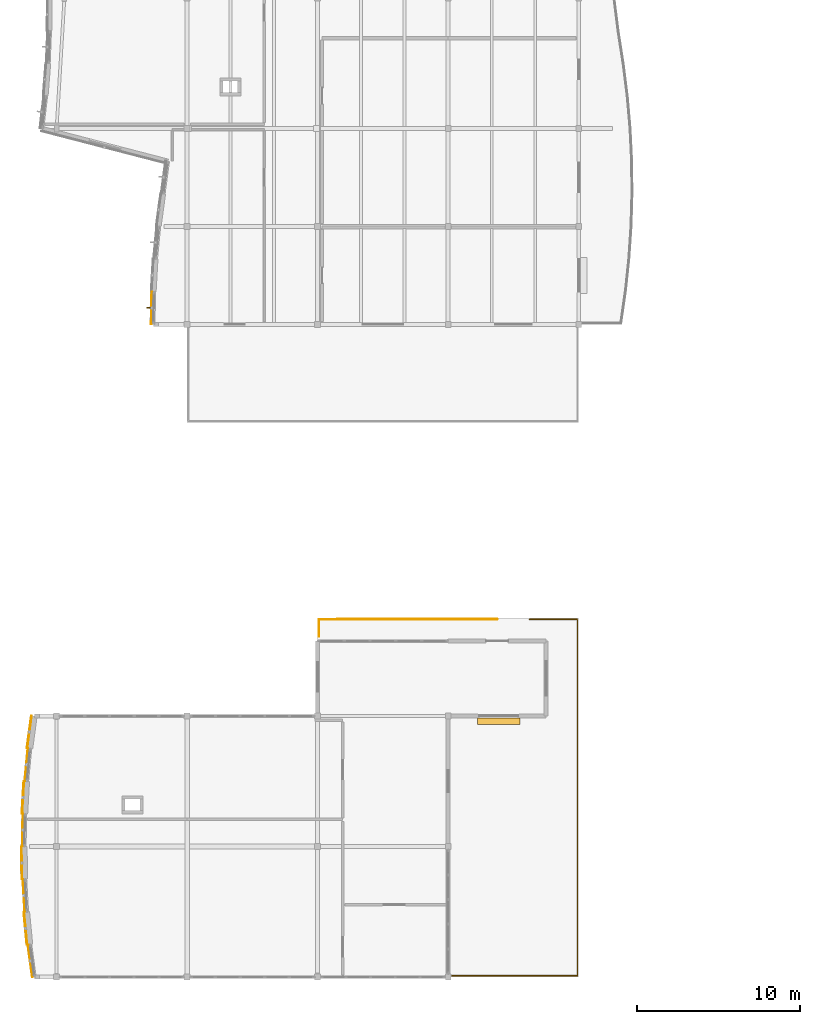
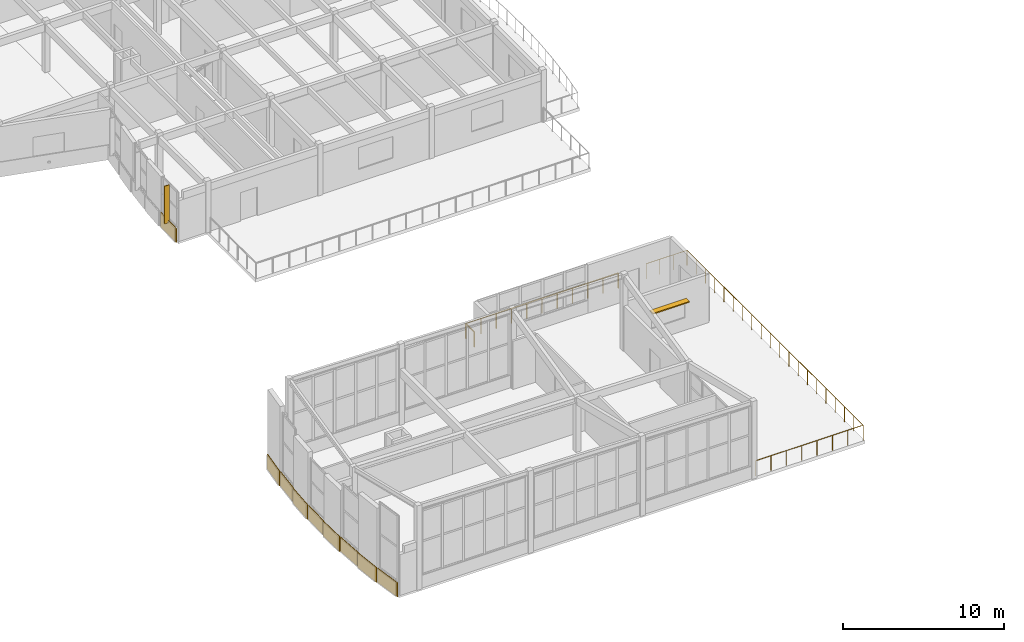
# One storey, part 53 of 63: 9 coverings, 2 railings, 2 shading devices.
"""IFC4 building model written with IfcOpenShell, lengths in metres."""

from ifc_helpers import new_model, si_unit, direction, frame, origin, origin_2d, place, context, subcontext, project, spatial, polyline, rectangle, circle, outline, extrude, material, layer, layer_set, type_object, element, save


model = new_model("IFC4")

# Units and contexts
model_context = context("Model", 3, precision=1e-05, world=origin(), true_north=direction((0.0, 1.0)))
body_context = subcontext(model_context, "Body", "Model", "MODEL_VIEW")
ifc_project = project(units=[si_unit("LENGTHUNIT", "METRE"), si_unit("AREAUNIT", "SQUARE_METRE"), si_unit("VOLUMEUNIT", "CUBIC_METRE"), si_unit("PLANEANGLEUNIT", "RADIAN"), si_unit("MASSUNIT", "GRAM", prefix="KILO")], contexts=[model_context])

# Site, building, storey
site_placement = place(None, origin())
site = spatial("IfcSite", under=ifc_project, at=site_placement, CompositionType="ELEMENT")
building_placement = place(site_placement, origin())
building = spatial("IfcBuilding", under=site, at=building_placement, Name="Tonlespit Floodbar School", CompositionType="ELEMENT")
storey_placement = place(building_placement, frame((0.0, 0.0, 8.39990234375)))
storey = spatial("IfcBuildingStorey", under=building, at=storey_placement, Name="L02", CompositionType="ELEMENT", Elevation=8.39990234375)

# Railing
ifc_material_1 = material(Name="Galvanised Steel", Category="steel")
railing_type_1 = type_object("IfcRailingType", Name="Balustrade_Ext_1150", PredefinedType="BALUSTRADE", material=ifc_material_1)
railing_1_placement = place(storey_placement, frame((20.080078125, 24.868408203125, 0.0)))
element("IfcRailing", 1, at=railing_1_placement, inside=storey, type_object=railing_type_1, Name="L02 terrace balustrade 019", PredefinedType="BALUSTRADE", context=body_context, shape_type="SweptSolid", body=[
    extrude(circle(Radius=0.02392578125, at=origin_2d()), frame((0.0, 0.0, 1.1259765625), z_axis=(0.0, 1.0, 0.0), x_axis=(-1.0, 0.0, 0.0)), (0.0, 0.0, 1.0), 1.051025390625),
    extrude(circle(Radius=0.02392578125, at=origin_2d()), frame((0.0, 1.051025390625, 1.1259765625), z_axis=(0.999999999, 4.471472e-05, 0.0), x_axis=(-4.471472e-05, 0.999999999, 0.0)), (0.0, 0.0, 1.0), 10.919921875),
    extrude(circle(Radius=0.02099609375, at=origin_2d()), origin(), (0.0, 0.0, 1.0), 1.101806640625),
    extrude(circle(Radius=0.02099609375, at=origin_2d()), frame((0.0, 1.051025390625, 0.0)), (0.0, 0.0, 1.0), 1.101806640625),
    extrude(circle(Radius=0.02099609375, at=origin_2d()), frame((1.092041015625, 1.051025390625, 0.0)), (0.0, 0.0, 1.0), 1.101806640625),
    extrude(circle(Radius=0.02099609375, at=origin_2d()), frame((2.18408203125, 1.051025390625, 0.0)), (0.0, 0.0, 1.0), 1.101806640625),
    extrude(circle(Radius=0.02099609375, at=origin_2d()), frame((3.27587890625, 1.05126953125, 0.0)), (0.0, 0.0, 1.0), 1.101806640625),
    extrude(circle(Radius=0.02099609375, at=origin_2d()), frame((4.367919921875, 1.05126953125, 0.0)), (0.0, 0.0, 1.0), 1.101806640625),
    extrude(circle(Radius=0.02099609375, at=origin_2d()), frame((5.4599609375, 1.05126953125, 0.0)), (0.0, 0.0, 1.0), 1.101806640625),
    extrude(circle(Radius=0.02099609375, at=origin_2d()), frame((6.552001953125, 1.05126953125, 0.0)), (0.0, 0.0, 1.0), 1.101806640625),
    extrude(circle(Radius=0.02099609375, at=origin_2d()), frame((7.64404296875, 1.05126953125, 0.0)), (0.0, 0.0, 1.0), 1.101806640625),
    extrude(circle(Radius=0.02099609375, at=origin_2d()), frame((8.73583984375, 1.051513671875, 0.0)), (0.0, 0.0, 1.0), 1.101806640625),
    extrude(circle(Radius=0.02099609375, at=origin_2d()), frame((9.827880859375, 1.051513671875, 0.0)), (0.0, 0.0, 1.0), 1.101806640625),
    extrude(circle(Radius=0.02099609375, at=origin_2d()), frame((10.919921875, 1.051513671875, 0.0)), (0.0, 0.0, 1.0), 1.101806640625),
])

# Coverings
ifc_material_2 = material(Name="White Architectural Aluminium", Category="aluminium")
ifc_layer_1 = layer(ifc_material_2, 0.050048828125)
ifc_layer_set_1 = layer_set([ifc_layer_1], Name="White Architectural Aluminium")
covering_type = type_object("IfcCoveringType", Name="Cladding_WhiteBand_50", PredefinedType="CLADDING", material=ifc_layer_set_1)
covering_1_placement = place(storey_placement, frame((0.0, 0.0, -0.119873046875)))
element("IfcCovering", 2, at=covering_1_placement, inside=storey, type_object=covering_type, Name="L02 curved white spandrel cladding 0543", PredefinedType="CLADDING", context=body_context, shape_type="SweptSolid", body=[
    extrude(outline(polyline([(9.830810546875, 44.001953125), (9.869384765625, 46.001953125), (9.8193359375, 46.0029296875), (9.781005859375, 44.0029296875), (9.830810546875, 44.001953125)])), origin(), (0.0, 0.0, 1.0), 1.070068359375),
])
covering_2_placement = place(storey_placement, frame((0.0, 0.0, -0.119873046875)))
element("IfcCovering", 3, at=covering_2_placement, inside=storey, type_object=covering_type, Name="L02 curved white spandrel cladding 0774", PredefinedType="CLADDING", context=body_context, shape_type="SweptSolid", body=[
    extrude(outline(polyline([(2.55078125, 3.986572265625), (2.279052734375, 5.986572265625), (2.2294921875, 5.979736328125), (2.50146484375, 3.979736328125), (2.55078125, 3.986572265625)])), origin(), (0.0, 0.0, 1.0), 1.070068359375),
])
covering_3_placement = place(storey_placement, frame((0.0, 0.0, -0.119873046875)))
element("IfcCovering", 4, at=covering_3_placement, inside=storey, type_object=covering_type, Name="L02 curved white spandrel cladding 0775", PredefinedType="CLADDING", context=body_context, shape_type="SweptSolid", body=[
    extrude(outline(polyline([(2.218994140625, 5.984619140625), (2.025634765625, 7.984619140625), (1.975830078125, 7.979736328125), (2.169189453125, 5.979736328125), (2.218994140625, 5.984619140625)])), origin(), (0.0, 0.0, 1.0), 1.119873046875),
])
covering_4_placement = place(storey_placement, frame((0.0, 0.0, -0.119873046875)))
element("IfcCovering", 5, at=covering_4_placement, inside=storey, type_object=covering_type, Name="L02 curved white spandrel cladding 0776", PredefinedType="CLADDING", context=body_context, shape_type="SweptSolid", body=[
    extrude(outline(polyline([(2.085205078125, 7.994140625), (1.969482421875, 9.994140625), (1.919677734375, 9.9912109375), (2.035400390625, 7.9912109375), (2.085205078125, 7.994140625)])), origin(), (0.0, 0.0, 1.0), 1.070068359375),
])
covering_5_placement = place(storey_placement, frame((0.0, 0.0, -0.119873046875)))
element("IfcCovering", 6, at=covering_5_placement, inside=storey, type_object=covering_type, Name="L02 curved white spandrel cladding 0777", PredefinedType="CLADDING", context=body_context, shape_type="SweptSolid", body=[
    extrude(outline(polyline([(1.909423828125, 9.996826171875), (1.870849609375, 11.996826171875), (1.82080078125, 11.995849609375), (1.859375, 9.995849609375), (1.909423828125, 9.996826171875)])), origin(), (0.0, 0.0, 1.0), 1.119873046875),
])
covering_6_placement = place(storey_placement, frame((0.0, 0.0, -0.119873046875)))
element("IfcCovering", 7, at=covering_6_placement, inside=storey, type_object=covering_type, Name="L02 curved white spandrel cladding 0778", PredefinedType="CLADDING", context=body_context, shape_type="SweptSolid", body=[
    extrude(outline(polyline([(1.930908203125, 12.001953125), (1.969482421875, 14.001953125), (1.91943359375, 14.0029296875), (1.880859375, 12.0029296875), (1.930908203125, 12.001953125)])), origin(), (0.0, 0.0, 1.0), 1.070068359375),
])
covering_7_placement = place(storey_placement, frame((0.0, 0.0, -0.119873046875)))
element("IfcCovering", 8, at=covering_7_placement, inside=storey, type_object=covering_type, Name="L02 curved white spandrel cladding 0779", PredefinedType="CLADDING", context=body_context, shape_type="SweptSolid", body=[
    extrude(outline(polyline([(1.90966796875, 14.00927734375), (2.025390625, 16.00927734375), (1.975341796875, 16.01220703125), (1.85986328125, 14.01220703125), (1.90966796875, 14.00927734375)])), origin(), (0.0, 0.0, 1.0), 1.119873046875),
])
covering_8_placement = place(storey_placement, frame((0.0, 0.0, -0.119873046875)))
element("IfcCovering", 9, at=covering_8_placement, inside=storey, type_object=covering_type, Name="L02 curved white spandrel cladding 0780", PredefinedType="CLADDING", context=body_context, shape_type="SweptSolid", body=[
    extrude(outline(polyline([(2.08544921875, 16.009521484375), (2.27880859375, 18.009521484375), (2.22900390625, 18.014404296875), (2.03564453125, 16.014404296875), (2.08544921875, 16.009521484375)])), origin(), (0.0, 0.0, 1.0), 1.070068359375),
])
covering_9_placement = place(storey_placement, frame((0.0, 0.0, -0.119873046875)))
element("IfcCovering", 10, at=covering_9_placement, inside=storey, type_object=covering_type, Name="L02 curved white spandrel cladding 0781", PredefinedType="CLADDING", context=body_context, shape_type="SweptSolid", body=[
    extrude(outline(polyline([(2.2197265625, 18.021484375), (2.491455078125, 20.021484375), (2.44189453125, 20.0283203125), (2.170166015625, 18.0283203125), (2.2197265625, 18.021484375)])), origin(), (0.0, 0.0, 1.0), 1.119873046875),
])

# Railing
ifc_material_3 = material(Name="Anodised Aluminium", Category="aluminium")
railing_type_2 = type_object("IfcRailingType", Name="Guardrail_Terrace_1150", PredefinedType="GUARDRAIL", material=ifc_material_3)
railing_2_placement = place(storey_placement, frame((33.0, 25.919921875, 0.0)))
element("IfcRailing", 11, at=railing_2_placement, inside=storey, type_object=railing_type_2, Name="L02 terrace balustrade 020", PredefinedType="GUARDRAIL", context=body_context, shape_type="SweptSolid", body=[
    extrude(circle(Radius=0.02392578125, at=origin_2d()), frame((0.0, 0.0, 1.1259765625), z_axis=(1.0, 0.0, 0.0), x_axis=(0.0, 1.0, 0.0)), (0.0, 0.0, 1.0), 2.91943359375),
    extrude(circle(Radius=0.02392578125, at=origin_2d()), frame((2.91943359375, 0.0, 1.1259765625), z_axis=(2.235786e-05, -0.99999999975, 0.0), x_axis=(0.99999999975, 2.235786e-05, 0.0)), (0.0, 0.0, 1.0), 21.83935546875),
    extrude(circle(Radius=0.02392578125, at=origin_2d()), frame((2.919921875, -21.83935546875, 1.1259765625), z_axis=(-0.999999999496, -3.1756113e-05, 0.0), x_axis=(3.1756113e-05, -0.999999999496, 0.0)), (0.0, 0.0, 1.0), 7.68798828125),
    extrude(circle(Radius=0.02099609375, at=origin_2d()), origin(), (0.0, 0.0, 1.0), 1.101806640625),
    extrude(circle(Radius=0.02099609375, at=origin_2d()), frame((0.97314453125, 0.0, 0.0)), (0.0, 0.0, 1.0), 1.101806640625),
    extrude(circle(Radius=0.02099609375, at=origin_2d()), frame((1.9462890625, 0.0, 0.0)), (0.0, 0.0, 1.0), 1.101806640625),
    extrude(circle(Radius=0.02099609375, at=origin_2d()), frame((2.91943359375, 0.0, 0.0)), (0.0, 0.0, 1.0), 1.101806640625),
    extrude(circle(Radius=0.02099609375, at=origin_2d()), frame((2.91943359375, -1.1494140625, 0.0)), (0.0, 0.0, 1.0), 1.101806640625),
    extrude(circle(Radius=0.02099609375, at=origin_2d()), frame((2.91943359375, -2.298828125, 0.0)), (0.0, 0.0, 1.0), 1.101806640625),
    extrude(circle(Radius=0.02099609375, at=origin_2d()), frame((2.91943359375, -3.4482421875, 0.0)), (0.0, 0.0, 1.0), 1.101806640625),
    extrude(circle(Radius=0.02099609375, at=origin_2d()), frame((2.91943359375, -4.59765625, 0.0)), (0.0, 0.0, 1.0), 1.101806640625),
    extrude(circle(Radius=0.02099609375, at=origin_2d()), frame((2.919677734375, -5.747314453125, 0.0)), (0.0, 0.0, 1.0), 1.101806640625),
    extrude(circle(Radius=0.02099609375, at=origin_2d()), frame((2.919677734375, -6.896728515625, 0.0)), (0.0, 0.0, 1.0), 1.101806640625),
    extrude(circle(Radius=0.02099609375, at=origin_2d()), frame((2.919677734375, -8.046142578125, 0.0)), (0.0, 0.0, 1.0), 1.101806640625),
    extrude(circle(Radius=0.02099609375, at=origin_2d()), frame((2.919677734375, -9.195556640625, 0.0)), (0.0, 0.0, 1.0), 1.101806640625),
    extrude(circle(Radius=0.02099609375, at=origin_2d()), frame((2.919677734375, -10.344970703125, 0.0)), (0.0, 0.0, 1.0), 1.101806640625),
    extrude(circle(Radius=0.02099609375, at=origin_2d()), frame((2.919677734375, -11.494384765625, 0.0)), (0.0, 0.0, 1.0), 1.101806640625),
    extrude(circle(Radius=0.02099609375, at=origin_2d()), frame((2.919677734375, -12.643798828125, 0.0)), (0.0, 0.0, 1.0), 1.101806640625),
    extrude(circle(Radius=0.02099609375, at=origin_2d()), frame((2.919677734375, -13.793212890625, 0.0)), (0.0, 0.0, 1.0), 1.101806640625),
    extrude(circle(Radius=0.02099609375, at=origin_2d()), frame((2.919677734375, -14.942626953125, 0.0)), (0.0, 0.0, 1.0), 1.101806640625),
    extrude(circle(Radius=0.02099609375, at=origin_2d()), frame((2.919677734375, -16.092041015625, 0.0)), (0.0, 0.0, 1.0), 1.101806640625),
    extrude(circle(Radius=0.02099609375, at=origin_2d()), frame((2.919921875, -17.24169921875, 0.0)), (0.0, 0.0, 1.0), 1.101806640625),
    extrude(circle(Radius=0.02099609375, at=origin_2d()), frame((2.919921875, -18.39111328125, 0.0)), (0.0, 0.0, 1.0), 1.101806640625),
    extrude(circle(Radius=0.02099609375, at=origin_2d()), frame((2.919921875, -19.54052734375, 0.0)), (0.0, 0.0, 1.0), 1.101806640625),
    extrude(circle(Radius=0.02099609375, at=origin_2d()), frame((2.919921875, -20.68994140625, 0.0)), (0.0, 0.0, 1.0), 1.101806640625),
    extrude(circle(Radius=0.02099609375, at=origin_2d()), frame((2.919921875, -21.83935546875, 0.0)), (0.0, 0.0, 1.0), 1.101806640625),
    extrude(circle(Radius=0.02099609375, at=origin_2d()), frame((1.821533203125, -21.83935546875, 0.0)), (0.0, 0.0, 1.0), 1.101806640625),
    extrude(circle(Radius=0.02099609375, at=origin_2d()), frame((0.723388671875, -21.83935546875, 0.0)), (0.0, 0.0, 1.0), 1.101806640625),
    extrude(circle(Radius=0.02099609375, at=origin_2d()), frame((-0.375, -21.83935546875, 0.0)), (0.0, 0.0, 1.0), 1.101806640625),
    extrude(circle(Radius=0.02099609375, at=origin_2d()), frame((-1.47314453125, -21.839599609375, 0.0)), (0.0, 0.0, 1.0), 1.101806640625),
    extrude(circle(Radius=0.02099609375, at=origin_2d()), frame((-2.571533203125, -21.839599609375, 0.0)), (0.0, 0.0, 1.0), 1.101806640625),
    extrude(circle(Radius=0.02099609375, at=origin_2d()), frame((-3.669677734375, -21.839599609375, 0.0)), (0.0, 0.0, 1.0), 1.101806640625),
    extrude(circle(Radius=0.02099609375, at=origin_2d()), frame((-4.76806640625, -21.839599609375, 0.0)), (0.0, 0.0, 1.0), 1.101806640625),
])

# Shading devices
ifc_layer_2 = layer(ifc_material_3, 0.080078125)
ifc_layer_set_2 = layer_set([ifc_layer_2], Name="Anodised Aluminium")
shading_device_type_1 = type_object("IfcShadingDeviceType", Name="Shading_MonsoonJalousie_400", PredefinedType="JALOUSIE", material=ifc_layer_set_2)
shading_device_1_placement = place(storey_placement, frame((31.090087890625, 19.681884765625, 2.320068359375), z_axis=(0.0, 0.0, 1.0), x_axis=(-1.0, 0.0, 0.0)))
element("IfcShadingDevice", 12, at=shading_device_1_placement, inside=storey, type_object=shading_device_type_1, Name="L02 monsoon jalousie 345", PredefinedType="JALOUSIE", context=body_context, shape_type="SweptSolid", body=[
    extrude(rectangle(XDim=2.60009765625, YDim=0.39990234375, at=origin_2d()), origin(), (0.0, 0.0, 1.0), 0.080078125),
])
ifc_material_4 = material(Name="Terracotta Anodised Aluminium", Category="masonry")
ifc_layer_3 = layer(ifc_material_4, 0.06005859375)
ifc_layer_set_3 = layer_set([ifc_layer_3], Name="Terracotta Anodised Aluminium")
shading_device_type_2 = type_object("IfcShadingDeviceType", Name="Shading_SolarFin_350", PredefinedType="USERDEFINED", material=ifc_layer_set_3)
shading_device_2_placement = place(storey_placement, frame((9.690185546875, 45.0048828125, 0.800048828125), z_axis=(0.0, 0.0, 1.0), x_axis=(0.01924630259, 0.999814772764, 0.0)))
element("IfcShadingDevice", 13, at=shading_device_2_placement, inside=storey, type_object=shading_device_type_2, Name="L02 vertical solar fin 152", ObjectType="SOLAR FIN", PredefinedType="USERDEFINED", context=body_context, shape_type="SweptSolid", body=[
    extrude(rectangle(XDim=0.06005859375, YDim=0.35009765625, at=origin_2d()), origin(), (0.0, 0.0, 1.0), 2.85009765625),
])

save(model, "model.ifc")
